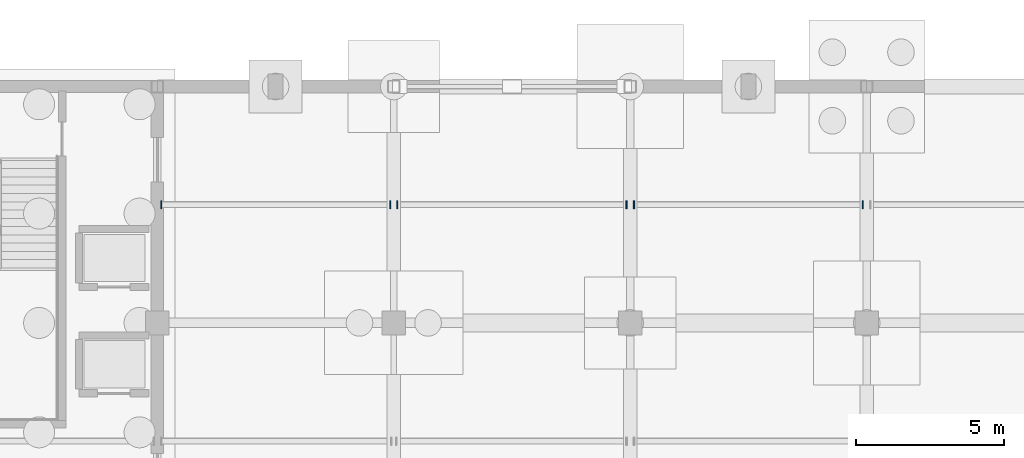
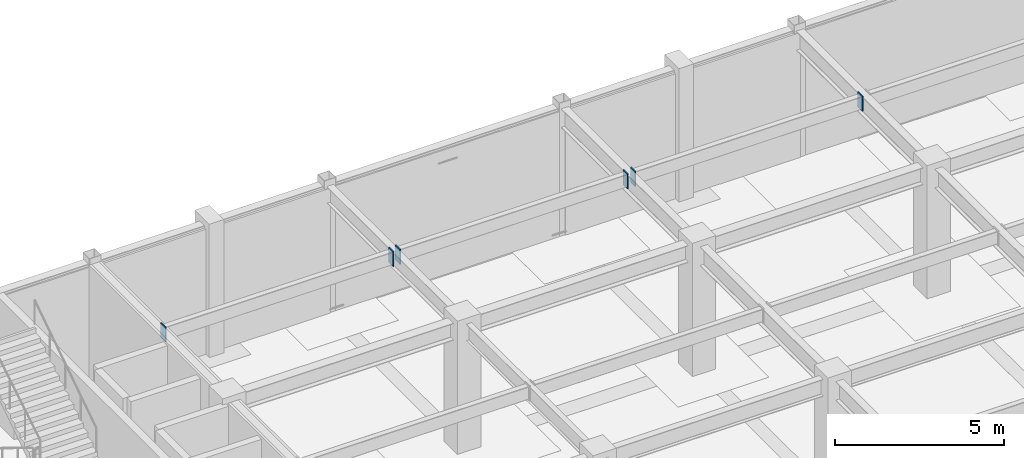
# One storey, part 79 of 105: 6 discrete accessories.
"""IFC4 building model written with IfcOpenShell, lengths in metres."""

from ifc_helpers import new_model, si_unit, direction, frame, origin, origin_2d, place, context, subcontext, project, spatial, rectangle, extrude, material, layer, layer_set, type_object, element, save


model = new_model("IFC4")

# Units and contexts
model_context = context("Model", 3, precision=1e-05, world=origin(), true_north=direction((0.0, 1.0)))
body_context = subcontext(model_context, "Body", "Model", "MODEL_VIEW")
ifc_project = project(units=[si_unit("LENGTHUNIT", "METRE"), si_unit("AREAUNIT", "SQUARE_METRE"), si_unit("VOLUMEUNIT", "CUBIC_METRE"), si_unit("PLANEANGLEUNIT", "RADIAN"), si_unit("MASSUNIT", "GRAM", prefix="KILO")], contexts=[model_context])

# Site, building, storey
site_placement = place(None, origin())
site = spatial("IfcSite", under=ifc_project, at=site_placement, CompositionType="ELEMENT")
building_placement = place(site_placement, origin())
building = spatial("IfcBuilding", under=site, at=building_placement, Name="Solmirada Galleria", CompositionType="ELEMENT")
storey_placement = place(building_placement, frame((0.0, 0.0, -4.800048828125)))
storey = spatial("IfcBuildingStorey", under=building, at=storey_placement, Name="B1", CompositionType="ELEMENT", Elevation=-4.800048828125)

# Discrete accessories
ifc_material = material(Name="Steel S355 / ASTM A572 Grade 50", Category="steel")
ifc_layer = layer(ifc_material, 0.031982421875)
ifc_layer_set = layer_set([ifc_layer], Name="Steel S355 / ASTM A572 Grade 50")
discrete_accessory_type = type_object("IfcDiscreteAccessoryType", Name="ACC-COL-CAP", PredefinedType="BRACKET", material=ifc_layer_set)
for number, where, z_axis, x_axis, name in (
    (1, (48.1279296875, 116.0, 4.08154296875), (0.0, 0.0, 1.0), (1.0, 0.0, 0.0), "Hollow joist end plate L00-07-15-L"),
    (2, (55.885986328125, 116.0, 4.08154296875), (0.0, 0.0, 1.0), (1.0, 0.0, 0.0), "Hollow joist end plate L00-07-15-R"),
    (3, (56.114013671875, 116.0, 4.08154296875), (0.0, 0.0, 1.0), (1.0, 0.0, 0.0), "Hollow joist end plate L00-08-15-L"),
    (4, (63.873046875, 116.0, 4.08154296875), (0.0, 0.0, 1.0), (1.0, 0.0, 0.0), "Hollow joist end plate L00-08-15-R"),
    (5, (64.126953125, 116.0, 4.08154296875), (0.0, 0.0, 1.0), (1.0, 0.0, 0.0), "Hollow joist end plate L00-09-15-L"),
    (6, (71.8720703125, 116.0, 4.08154296875), (0.0, 0.0, 1.0), (1.0, 0.0, 0.0), "Hollow joist end plate L00-09-15-R"),
):
    element("IfcDiscreteAccessory", number, at=place(storey_placement, frame(where, z_axis=z_axis, x_axis=x_axis)), inside=storey, type_object=discrete_accessory_type, Name=name, PredefinedType="BRACKET", context=body_context, shape_type="SweptSolid", body=[
        extrude(rectangle(XDim=0.035888671875, YDim=0.280029296875, at=origin_2d()), origin(), (0.0, 0.0, 1.0), 0.5400390625),
    ])

save(model, "model.ifc")
